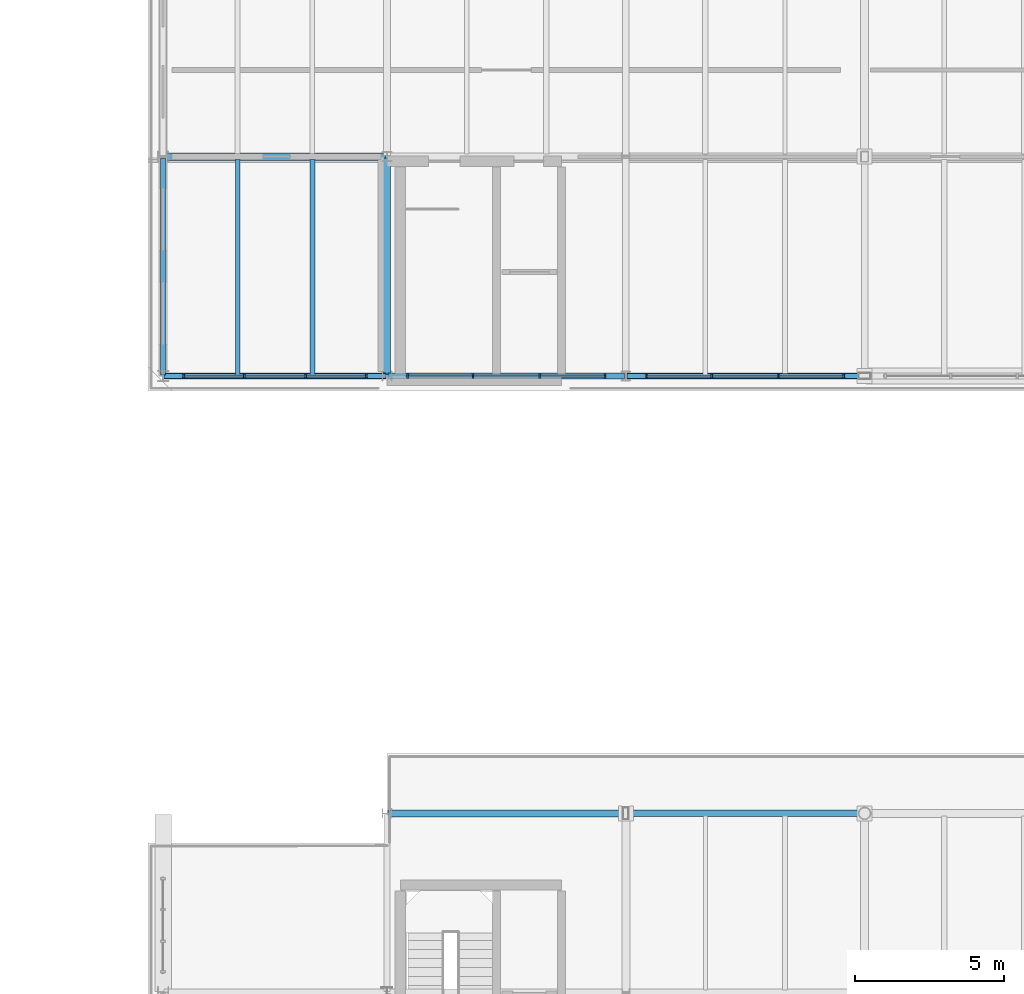
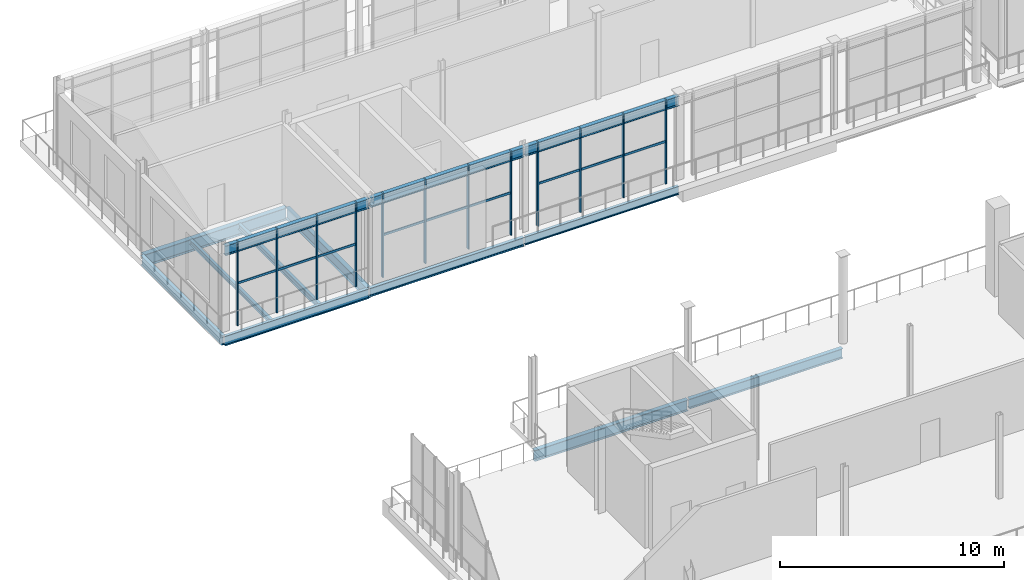
# One storey, part 42 of 93: 21 members, 13 beams, 3 elements without a shape of their own.
"""IFC4 building model written with IfcOpenShell, lengths in metres."""

from ifc_helpers import new_model, si_unit, direction, frame, origin, origin_2d, place, context, subcontext, project, spatial, rectangle, i_section, extrude, material, material_profile, profile_set, type_object, element, aggregate, save


model = new_model("IFC4")

# Units and contexts
model_context = context("Model", 3, precision=1e-05, world=origin(), true_north=direction((0.0, 1.0)))
body_context = subcontext(model_context, "Body", "Model", "MODEL_VIEW")
ifc_project = project(units=[si_unit("LENGTHUNIT", "METRE"), si_unit("AREAUNIT", "SQUARE_METRE"), si_unit("VOLUMEUNIT", "CUBIC_METRE"), si_unit("PLANEANGLEUNIT", "RADIAN"), si_unit("MASSUNIT", "GRAM", prefix="KILO")], contexts=[model_context])

# Site, building, storey
site_placement = place(None, origin())
site = spatial("IfcSite", under=ifc_project, at=site_placement, CompositionType="ELEMENT")
building_placement = place(site_placement, origin())
building = spatial("IfcBuilding", under=site, at=building_placement, Name="Brisemont Oceanarium", CompositionType="ELEMENT")
storey_placement = place(building_placement, frame((0.0, 0.0, 5.39990234375)))
storey = spatial("IfcBuildingStorey", under=building, at=storey_placement, Name="L01", CompositionType="ELEMENT", Elevation=5.39990234375)

# Beams
ifc_material_1 = material(Name="Structural Steel ASTM A992 Gr.50", Category="steel")
ifc_material_profile_1 = material_profile(ifc_material_1, i_section(OverallWidth=0.14599609375, OverallDepth=0.259033203125, WebThickness=0.006103515625, FlangeThickness=0.009033203125, FilletRadius=0.008056640625, at=origin_2d()), Name="W10X22")
ifc_profile_set_1 = profile_set([ifc_material_profile_1], Name="Structural Steel ASTM A992 Gr.50")
beam_type_1 = type_object("IfcBeamType", Name="BM-W10X22", PredefinedType="LINTEL", material=ifc_profile_set_1)
beam_1_placement = place(storey_placement, frame((19.0, 80.68994140625, -0.469482421875), z_axis=(0.0, 1.0, 0.0), x_axis=(-1.0, 0.0, 0.0)))
element("IfcBeam", 1, at=beam_1_placement, inside=storey, type_object=beam_type_1, Name="V7W L01 secondary floor beam", PredefinedType="LINTEL", context=body_context, shape_type="SweptSolid", body=[
    extrude(i_section(OverallWidth=0.14599609375, OverallDepth=0.259033203125, WebThickness=0.006103515625, FlangeThickness=0.009033203125, FilletRadius=0.008056640625, at=origin_2d()), origin(), (0.0, 0.0, 1.0), 7.219970703125),
])
ifc_material_2 = material(Name="Structural Steel ASTM A992 Gr.50", Category="steel")
ifc_material_profile_2 = material_profile(ifc_material_2, i_section(OverallWidth=0.1650390625, OverallDepth=0.31005859375, WebThickness=0.005859375, FlangeThickness=0.009765625, FilletRadius=0.008056640625, at=origin_2d()), Name="W12X26")
ifc_profile_set_2 = profile_set([ifc_material_profile_2], Name="Structural Steel ASTM A992 Gr.50")
beam_type_2 = type_object("IfcBeamType", Name="BM-W12X26", PredefinedType="JOIST", material=ifc_profile_set_2)
beam_2_placement = place(storey_placement, frame((21.5, 80.68994140625, -0.494873046875), z_axis=(0.0, 1.0, 0.0), x_axis=(-1.0, 0.0, 0.0)))
element("IfcBeam", 2, at=beam_2_placement, inside=storey, type_object=beam_type_2, Name="V7W L01 secondary floor beam", PredefinedType="JOIST", context=body_context, shape_type="SweptSolid", body=[
    extrude(i_section(OverallWidth=0.1650390625, OverallDepth=0.31005859375, WebThickness=0.005859375, FlangeThickness=0.009765625, FilletRadius=0.008056640625, at=origin_2d()), origin(), (0.0, 0.0, 1.0), 7.219970703125),
])
ifc_material_3 = material(Name="Structural Steel ASTM A992 Gr.50", Category="steel")
ifc_material_profile_3 = material_profile(ifc_material_3, i_section(OverallWidth=0.154052734375, OverallDepth=0.458984375, WebThickness=0.009033203125, FlangeThickness=0.015380859375, FilletRadius=0.010986328125, at=origin_2d()), Name="W18X46")
ifc_profile_set_3 = profile_set([ifc_material_profile_3], Name="Structural Steel ASTM A992 Gr.50")
beam_type_3 = type_object("IfcBeamType", Name="BM-W18X46", PredefinedType="SPANDREL", material=ifc_profile_set_3)
beam_3_placement = place(storey_placement, frame((32.0400390625, 80.64990234375, -0.5693359375), z_axis=(1.0, 0.0, 0.0), x_axis=(0.0, 1.0, 0.0)))
element("IfcBeam", 3, at=beam_3_placement, inside=storey, type_object=beam_type_3, Name="V7W L01 EW girder", PredefinedType="SPANDREL", context=body_context, shape_type="SweptSolid", body=[
    extrude(i_section(OverallWidth=0.154052734375, OverallDepth=0.458984375, WebThickness=0.009033203125, FlangeThickness=0.015380859375, FilletRadius=0.010986328125, at=origin_2d()), origin(), (0.0, 0.0, 1.0), 7.919921875),
])
ifc_material_4 = material(Name="Structural Steel ASTM A992 Gr.50", Category="steel")
ifc_material_profile_4 = material_profile(ifc_material_4, i_section(OverallWidth=0.19091796875, OverallDepth=0.4599609375, WebThickness=0.010009765625, FlangeThickness=0.01611328125, FilletRadius=0.010986328125, at=origin_2d()), Name="W18X55")
ifc_profile_set_4 = profile_set([ifc_material_profile_4], Name="Structural Steel ASTM A992 Gr.50")
beam_type_4 = type_object("IfcBeamType", Name="BM-W18X55", PredefinedType="SPANDREL", material=ifc_profile_set_4)
beam_4_placement = place(storey_placement, frame((24.0400390625, 80.64990234375, -0.56982421875), z_axis=(1.0, 0.0, 0.0), x_axis=(0.0, 1.0, 0.0)))
element("IfcBeam", 4, at=beam_4_placement, inside=storey, type_object=beam_type_4, Name="V7W L01 EW girder", PredefinedType="SPANDREL", context=body_context, shape_type="SweptSolid", body=[
    extrude(i_section(OverallWidth=0.19091796875, OverallDepth=0.4599609375, WebThickness=0.010009765625, FlangeThickness=0.01611328125, FilletRadius=0.010986328125, at=origin_2d()), origin(), (0.0, 0.0, 1.0), 7.919921875),
])
ifc_material_5 = material(Name="Structural Steel ASTM A992 Gr.50", Category="steel")
ifc_material_profile_5 = material_profile(ifc_material_5, i_section(OverallWidth=0.166015625, OverallDepth=0.528076171875, WebThickness=0.009765625, FlangeThickness=0.013671875, FilletRadius=0.012939453125, at=origin_2d()), Name="W21X50")
ifc_profile_set_5 = profile_set([ifc_material_profile_5], Name="Structural Steel ASTM A992 Gr.50")
beam_type_5 = type_object("IfcBeamType", Name="BM-W21X50", PredefinedType="SPANDREL", material=ifc_profile_set_5)
beam_5_placement = place(storey_placement, frame((16.5400390625, 80.64990234375, -0.60400390625), z_axis=(1.0, 0.0, 0.0), x_axis=(0.0, 1.0, 0.0)))
element("IfcBeam", 5, at=beam_5_placement, inside=storey, type_object=beam_type_5, Name="V7W L01 EW girder", PredefinedType="SPANDREL", context=body_context, shape_type="SweptSolid", body=[
    extrude(i_section(OverallWidth=0.166015625, OverallDepth=0.528076171875, WebThickness=0.009765625, FlangeThickness=0.013671875, FilletRadius=0.012939453125, at=origin_2d()), origin(), (0.0, 0.0, 1.0), 7.419921875),
])
beam_6_placement = place(storey_placement, frame((16.5, 80.68994140625, -0.60400390625), z_axis=(0.0, 1.0, 0.0), x_axis=(-1.0, 0.0, 0.0)))
element("IfcBeam", 6, at=beam_6_placement, inside=storey, type_object=beam_type_5, Name="V7W L01 NS girder", PredefinedType="SPANDREL", context=body_context, shape_type="SweptSolid", body=[
    extrude(i_section(OverallWidth=0.166015625, OverallDepth=0.528076171875, WebThickness=0.009765625, FlangeThickness=0.013671875, FilletRadius=0.012939453125, at=origin_2d()), origin(), (0.0, 0.0, 1.0), 7.27001953125),
])
ifc_material_6 = material(Name="Structural Steel ASTM A992 Gr.50", Category="steel")
ifc_material_profile_6 = material_profile(ifc_material_6, i_section(OverallWidth=0.2099609375, OverallDepth=0.532958984375, WebThickness=0.01025390625, FlangeThickness=0.015625, FilletRadius=0.012939453125, at=origin_2d()), Name="W21X62")
ifc_profile_set_6 = profile_set([ifc_material_profile_6], Name="Structural Steel ASTM A992 Gr.50")
beam_type_6 = type_object("IfcBeamType", Name="BM-W21X62", PredefinedType="BEAM", material=ifc_profile_set_6)
beam_7_placement = place(storey_placement, frame((32.0400390625, 66.0, -0.56640625), z_axis=(1.0, 0.0, 0.0), x_axis=(0.0, 1.0, 0.0)))
element("IfcBeam", 7, at=beam_7_placement, inside=storey, type_object=beam_type_6, Name="V5W L01 EW girder", PredefinedType="BEAM", context=body_context, shape_type="SweptSolid", body=[
    extrude(i_section(OverallWidth=0.2099609375, OverallDepth=0.532958984375, WebThickness=0.01025390625, FlangeThickness=0.015625, FilletRadius=0.012939453125, at=origin_2d()), origin(), (0.0, 0.0, 1.0), 7.919921875),
])
beam_8_placement = place(storey_placement, frame((16.5400390625, 80.64990234375, 4.33349609375), z_axis=(1.0, 0.0, 0.0), x_axis=(0.0, 1.0, 0.0)))
element("IfcBeam", 8, at=beam_8_placement, inside=storey, type_object=beam_type_6, Name="V7W roof eave girder", PredefinedType="BEAM", context=body_context, shape_type="SweptSolid", body=[
    extrude(i_section(OverallWidth=0.2099609375, OverallDepth=0.532958984375, WebThickness=0.01025390625, FlangeThickness=0.015625, FilletRadius=0.012939453125, at=origin_2d()), origin(), (0.0, 0.0, 1.0), 7.419921875),
])
for number, where, z_axis, x_axis, name in (
    (9, (24.0400390625, 80.64990234375, 4.33349609375), (1.0, 0.0, 0.0), (0.0, 1.0, 0.0), "V7W roof eave girder"),
    (10, (32.0400390625, 80.64990234375, 4.33349609375), (1.0, 0.0, 0.0), (0.0, 1.0, 0.0), "V7W roof eave girder"),
):
    element("IfcBeam", number, at=place(storey_placement, frame(where, z_axis=z_axis, x_axis=x_axis)), inside=storey, type_object=beam_type_6, Name=name, PredefinedType="BEAM", context=body_context, shape_type="SweptSolid", body=[
        extrude(i_section(OverallWidth=0.2099609375, OverallDepth=0.532958984375, WebThickness=0.01025390625, FlangeThickness=0.015625, FilletRadius=0.012939453125, at=origin_2d()), origin(), (0.0, 0.0, 1.0), 7.919921875),
    ])
ifc_material_7 = material(Name="Structural Steel ASTM A992 Gr.50", Category="steel")
ifc_material_profile_7 = material_profile(ifc_material_7, i_section(OverallWidth=0.22802734375, OverallDepth=0.60205078125, WebThickness=0.010498046875, FlangeThickness=0.014892578125, FilletRadius=0.012939453125, at=origin_2d()), Name="W24X68")
ifc_profile_set_7 = profile_set([ifc_material_profile_7], Name="Structural Steel ASTM A992 Gr.50")
beam_type_7 = type_object("IfcBeamType", Name="BM-W24X68", PredefinedType="BEAM", material=ifc_profile_set_7)
beam_9_placement = place(storey_placement, frame((24.0400390625, 66.0, -0.600830078125), z_axis=(1.0, 0.0, 0.0), x_axis=(0.0, 1.0, 0.0)))
element("IfcBeam", 11, at=beam_9_placement, inside=storey, type_object=beam_type_7, Name="V5W L01 EW girder", PredefinedType="BEAM", context=body_context, shape_type="SweptSolid", body=[
    extrude(i_section(OverallWidth=0.22802734375, OverallDepth=0.60205078125, WebThickness=0.010498046875, FlangeThickness=0.014892578125, FilletRadius=0.012939453125, at=origin_2d()), origin(), (0.0, 0.0, 1.0), 7.919921875),
])
ifc_material_8 = material(Name="Structural Steel ASTM A992 Gr.50", Category="steel")
ifc_material_profile_8 = material_profile(ifc_material_8, i_section(OverallWidth=0.22802734375, OverallDepth=0.60791015625, WebThickness=0.01123046875, FlangeThickness=0.017333984375, FilletRadius=0.012939453125, at=origin_2d()), Name="W24X76")
ifc_profile_set_8 = profile_set([ifc_material_profile_8], Name="Structural Steel ASTM A992 Gr.50")
beam_type_8 = type_object("IfcBeamType", Name="BM-W24X76", PredefinedType="BEAM", material=ifc_profile_set_8)
beam_10_placement = place(storey_placement, frame((24.0, 80.68994140625, -0.643798828125), z_axis=(0.0, 1.0, 0.0), x_axis=(-1.0, 0.0, 0.0)))
element("IfcBeam", 12, at=beam_10_placement, inside=storey, type_object=beam_type_8, Name="V7W L01 NS girder", PredefinedType="BEAM", context=body_context, shape_type="SweptSolid", body=[
    extrude(i_section(OverallWidth=0.22802734375, OverallDepth=0.60791015625, WebThickness=0.01123046875, FlangeThickness=0.017333984375, FilletRadius=0.012939453125, at=origin_2d()), origin(), (0.0, 0.0, 1.0), 7.27001953125),
])
ifc_material_9 = material(Name="Structural Steel ASTM A992 Gr.50", Category="steel")
ifc_material_profile_9 = material_profile(ifc_material_9, i_section(OverallWidth=0.2529296875, OverallDepth=0.677978515625, WebThickness=0.01171875, FlangeThickness=0.016357421875, FilletRadius=0.014892578125, at=origin_2d()), Name="W27X84")
ifc_profile_set_9 = profile_set([ifc_material_profile_9], Name="Structural Steel ASTM A992 Gr.50")
beam_type_9 = type_object("IfcBeamType", Name="BM-W27X84", PredefinedType="BEAM", material=ifc_profile_set_9)
beam_11_placement = place(storey_placement, frame((16.5400390625, 88.0, -0.678955078125), z_axis=(1.0, 0.0, 0.0), x_axis=(0.0, 1.0, 0.0)))
element("IfcBeam", 13, at=beam_11_placement, inside=storey, type_object=beam_type_9, Name="V7W L01 EW girder", PredefinedType="BEAM", context=body_context, shape_type="SweptSolid", body=[
    extrude(i_section(OverallWidth=0.2529296875, OverallDepth=0.677978515625, WebThickness=0.01171875, FlangeThickness=0.016357421875, FilletRadius=0.014892578125, at=origin_2d()), origin(), (0.0, 0.0, 1.0), 7.419921875),
])

# Curtain wall, members
ifc_material_10 = material(Name="Anodized Extruded Aluminum 6063-T6", Category="aluminium")
curtain_wall_type = type_object("IfcCurtainWallType", Name="CW-CLR-58X36", PredefinedType="NOTDEFINED", material=ifc_material_10)
curtain_wall_1_placement = place(storey_placement, origin())
curtain_wall_1 = element("IfcCurtainWall", 14, at=curtain_wall_1_placement, inside=storey, type_object=curtain_wall_type, Name="CW-21 curtain wall CW-V7W-S-L01-01", PredefinedType="NOTDEFINED")
ifc_material_11 = material(Name="Anodized Extruded Aluminum 6063-T6", Category="aluminium")
ifc_material_profile_10 = material_profile(ifc_material_11, rectangle(XDim=0.06005859375, YDim=0.14990234375, at=origin_2d()), Name="CWM-60X150")
ifc_profile_set_10 = profile_set([ifc_material_profile_10], Name="Anodized Extruded Aluminum 6063-T6")
member_type_1 = type_object("IfcMemberType", Name="MEM-CWM-60", PredefinedType="MULLION", material=ifc_profile_set_10)
member_1_placement = place(storey_placement, frame((17.195068359375, 80.64990234375, 0.0), z_axis=(0.0, 0.0, 1.0), x_axis=(1.0, 0.0, 0.0)))
member_1 = element("IfcMember", 15, at=member_1_placement, type_object=member_type_1, Name="CW-V7W-S-L01-01 mullion 1", PredefinedType="MULLION", context=body_context, shape_type="SweptSolid", body=[
    extrude(rectangle(XDim=0.06005859375, YDim=0.14990234375, at=origin_2d()), origin(), (0.0, 0.0, 1.0), 4.60009765625),
])
member_2_placement = place(storey_placement, frame((19.216796875, 80.64990234375, 0.0), z_axis=(0.0, 0.0, 1.0), x_axis=(1.0, 0.0, 0.0)))
member_2 = element("IfcMember", 16, at=member_2_placement, type_object=member_type_1, Name="CW-V7W-S-L01-01 mullion 2", PredefinedType="MULLION", context=body_context, shape_type="SweptSolid", body=[
    extrude(rectangle(XDim=0.06005859375, YDim=0.14990234375, at=origin_2d()), origin(), (0.0, 0.0, 1.0), 4.60009765625),
])
member_3_placement = place(storey_placement, frame((21.283203125, 80.64990234375, 0.0), z_axis=(0.0, 0.0, 1.0), x_axis=(1.0, 0.0, 0.0)))
member_3 = element("IfcMember", 17, at=member_3_placement, type_object=member_type_1, Name="CW-V7W-S-L01-01 mullion 3", PredefinedType="MULLION", context=body_context, shape_type="SweptSolid", body=[
    extrude(rectangle(XDim=0.06005859375, YDim=0.14990234375, at=origin_2d()), origin(), (0.0, 0.0, 1.0), 4.60009765625),
])
member_4_placement = place(storey_placement, frame((23.304931640625, 80.64990234375, 0.0), z_axis=(0.0, 0.0, 1.0), x_axis=(1.0, 0.0, 0.0)))
member_4 = element("IfcMember", 18, at=member_4_placement, type_object=member_type_1, Name="CW-V7W-S-L01-01 mullion 4", PredefinedType="MULLION", context=body_context, shape_type="SweptSolid", body=[
    extrude(rectangle(XDim=0.06005859375, YDim=0.14990234375, at=origin_2d()), origin(), (0.0, 0.0, 1.0), 4.60009765625),
])

curtain_wall_2_placement = place(storey_placement, origin())
curtain_wall_2 = element("IfcCurtainWall", 19, at=curtain_wall_2_placement, inside=storey, type_object=curtain_wall_type, Name="CW-21 curtain wall CW-V7W-S-L01-02", PredefinedType="NOTDEFINED")
member_5_placement = place(storey_placement, frame((24.695068359375, 80.64990234375, 0.0), z_axis=(0.0, 0.0, 1.0), x_axis=(1.0, 0.0, 0.0)))
member_5 = element("IfcMember", 20, at=member_5_placement, type_object=member_type_1, Name="CW-V7W-S-L01-02 mullion 1", PredefinedType="MULLION", context=body_context, shape_type="SweptSolid", body=[
    extrude(rectangle(XDim=0.06005859375, YDim=0.14990234375, at=origin_2d()), origin(), (0.0, 0.0, 1.0), 4.60009765625),
])
member_6_placement = place(storey_placement, frame((26.88330078125, 80.64990234375, 0.0), z_axis=(0.0, 0.0, 1.0), x_axis=(1.0, 0.0, 0.0)))
member_6 = element("IfcMember", 21, at=member_6_placement, type_object=member_type_1, Name="CW-V7W-S-L01-02 mullion 2", PredefinedType="MULLION", context=body_context, shape_type="SweptSolid", body=[
    extrude(rectangle(XDim=0.06005859375, YDim=0.14990234375, at=origin_2d()), origin(), (0.0, 0.0, 1.0), 4.60009765625),
])
member_7_placement = place(storey_placement, frame((29.11669921875, 80.64990234375, 0.0), z_axis=(0.0, 0.0, 1.0), x_axis=(1.0, 0.0, 0.0)))
member_7 = element("IfcMember", 22, at=member_7_placement, type_object=member_type_1, Name="CW-V7W-S-L01-02 mullion 3", PredefinedType="MULLION", context=body_context, shape_type="SweptSolid", body=[
    extrude(rectangle(XDim=0.06005859375, YDim=0.14990234375, at=origin_2d()), origin(), (0.0, 0.0, 1.0), 4.60009765625),
])
member_8_placement = place(storey_placement, frame((31.304931640625, 80.64990234375, 0.0), z_axis=(0.0, 0.0, 1.0), x_axis=(1.0, 0.0, 0.0)))
member_8 = element("IfcMember", 23, at=member_8_placement, type_object=member_type_1, Name="CW-V7W-S-L01-02 mullion 4", PredefinedType="MULLION", context=body_context, shape_type="SweptSolid", body=[
    extrude(rectangle(XDim=0.06005859375, YDim=0.14990234375, at=origin_2d()), origin(), (0.0, 0.0, 1.0), 4.60009765625),
])

curtain_wall_3_placement = place(storey_placement, origin())
curtain_wall_3 = element("IfcCurtainWall", 24, at=curtain_wall_3_placement, inside=storey, type_object=curtain_wall_type, Name="CW-21 curtain wall CW-V7W-S-L01-03", PredefinedType="NOTDEFINED")
member_9_placement = place(storey_placement, frame((32.695068359375, 80.64990234375, 0.0), z_axis=(0.0, 0.0, 1.0), x_axis=(1.0, 0.0, 0.0)))
member_9 = element("IfcMember", 25, at=member_9_placement, type_object=member_type_1, Name="CW-V7W-S-L01-03 mullion 1", PredefinedType="MULLION", context=body_context, shape_type="SweptSolid", body=[
    extrude(rectangle(XDim=0.06005859375, YDim=0.14990234375, at=origin_2d()), origin(), (0.0, 0.0, 1.0), 4.60009765625),
])
member_10_placement = place(storey_placement, frame((34.88330078125, 80.64990234375, 0.0), z_axis=(0.0, 0.0, 1.0), x_axis=(1.0, 0.0, 0.0)))
member_10 = element("IfcMember", 26, at=member_10_placement, type_object=member_type_1, Name="CW-V7W-S-L01-03 mullion 2", PredefinedType="MULLION", context=body_context, shape_type="SweptSolid", body=[
    extrude(rectangle(XDim=0.06005859375, YDim=0.14990234375, at=origin_2d()), origin(), (0.0, 0.0, 1.0), 4.60009765625),
])
member_11_placement = place(storey_placement, frame((37.11669921875, 80.64990234375, 0.0), z_axis=(0.0, 0.0, 1.0), x_axis=(1.0, 0.0, 0.0)))
member_11 = element("IfcMember", 27, at=member_11_placement, type_object=member_type_1, Name="CW-V7W-S-L01-03 mullion 3", PredefinedType="MULLION", context=body_context, shape_type="SweptSolid", body=[
    extrude(rectangle(XDim=0.06005859375, YDim=0.14990234375, at=origin_2d()), origin(), (0.0, 0.0, 1.0), 4.60009765625),
])
member_12_placement = place(storey_placement, frame((39.304931640625, 80.64990234375, 0.0), z_axis=(0.0, 0.0, 1.0), x_axis=(1.0, 0.0, 0.0)))
member_12 = element("IfcMember", 28, at=member_12_placement, type_object=member_type_1, Name="CW-V7W-S-L01-03 mullion 4", PredefinedType="MULLION", context=body_context, shape_type="SweptSolid", body=[
    extrude(rectangle(XDim=0.06005859375, YDim=0.14990234375, at=origin_2d()), origin(), (0.0, 0.0, 1.0), 4.60009765625),
])

# Member
ifc_material_12 = material(Name="Anodized Extruded Aluminum 6063-T6", Category="aluminium")
ifc_material_profile_11 = material_profile(ifc_material_12, rectangle(XDim=0.06005859375, YDim=0.1201171875, at=origin_2d()), Name="CWT-60X120")
ifc_profile_set_11 = profile_set([ifc_material_profile_11], Name="Anodized Extruded Aluminum 6063-T6")
member_type_2 = type_object("IfcMemberType", Name="MEM-CWT-60", PredefinedType="USERDEFINED", material=ifc_profile_set_11)
member_13_placement = place(storey_placement, frame((17.1650390625, 80.64990234375, 2.300048828125), z_axis=(1.0, 0.0, 0.0), x_axis=(0.0, 1.0, 0.0)))
member_13 = element("IfcMember", 29, at=member_13_placement, type_object=member_type_2, Name="CW-V7W-S-L01-01 transom 1.1", ObjectType="TRANSOM", PredefinedType="USERDEFINED", context=body_context, shape_type="SweptSolid", body=[
    extrude(rectangle(XDim=0.06005859375, YDim=0.1201171875, at=origin_2d()), origin(), (0.0, 0.0, 1.0), 2.03662109375),
])

member_14_placement = place(storey_placement, frame((19.231689453125, 80.64990234375, 2.300048828125), z_axis=(1.0, 0.0, 0.0), x_axis=(0.0, 1.0, 0.0)))
member_14 = element("IfcMember", 30, at=member_14_placement, type_object=member_type_2, Name="CW-V7W-S-L01-01 transom 2.1", ObjectType="TRANSOM", PredefinedType="USERDEFINED", context=body_context, shape_type="SweptSolid", body=[
    extrude(rectangle(XDim=0.06005859375, YDim=0.1201171875, at=origin_2d()), origin(), (0.0, 0.0, 1.0), 2.03662109375),
])

member_15_placement = place(storey_placement, frame((21.29833984375, 80.64990234375, 2.300048828125), z_axis=(1.0, 0.0, 0.0), x_axis=(0.0, 1.0, 0.0)))
member_15 = element("IfcMember", 31, at=member_15_placement, type_object=member_type_2, Name="CW-V7W-S-L01-01 transom 3.1", ObjectType="TRANSOM", PredefinedType="USERDEFINED", context=body_context, shape_type="SweptSolid", body=[
    extrude(rectangle(XDim=0.06005859375, YDim=0.1201171875, at=origin_2d()), origin(), (0.0, 0.0, 1.0), 2.03662109375),
])

aggregate(curtain_wall_1, [member_1, member_2, member_3, member_4, member_13, member_14, member_15])

member_16_placement = place(storey_placement, frame((24.6650390625, 80.64990234375, 2.300048828125), z_axis=(1.0, 0.0, 0.0), x_axis=(0.0, 1.0, 0.0)))
member_16 = element("IfcMember", 32, at=member_16_placement, type_object=member_type_2, Name="CW-V7W-S-L01-02 transom 1.1", ObjectType="TRANSOM", PredefinedType="USERDEFINED", context=body_context, shape_type="SweptSolid", body=[
    extrude(rectangle(XDim=0.06005859375, YDim=0.1201171875, at=origin_2d()), origin(), (0.0, 0.0, 1.0), 2.203369140625),
])

member_17_placement = place(storey_placement, frame((26.898193359375, 80.64990234375, 2.300048828125), z_axis=(1.0, 0.0, 0.0), x_axis=(0.0, 1.0, 0.0)))
member_17 = element("IfcMember", 33, at=member_17_placement, type_object=member_type_2, Name="CW-V7W-S-L01-02 transom 2.1", ObjectType="TRANSOM", PredefinedType="USERDEFINED", context=body_context, shape_type="SweptSolid", body=[
    extrude(rectangle(XDim=0.06005859375, YDim=0.1201171875, at=origin_2d()), origin(), (0.0, 0.0, 1.0), 2.20361328125),
])

member_18_placement = place(storey_placement, frame((29.131591796875, 80.64990234375, 2.300048828125), z_axis=(1.0, 0.0, 0.0), x_axis=(0.0, 1.0, 0.0)))
member_18 = element("IfcMember", 34, at=member_18_placement, type_object=member_type_2, Name="CW-V7W-S-L01-02 transom 3.1", ObjectType="TRANSOM", PredefinedType="USERDEFINED", context=body_context, shape_type="SweptSolid", body=[
    extrude(rectangle(XDim=0.06005859375, YDim=0.1201171875, at=origin_2d()), origin(), (0.0, 0.0, 1.0), 2.203369140625),
])

aggregate(curtain_wall_2, [member_5, member_6, member_7, member_8, member_16, member_17, member_18])

member_19_placement = place(storey_placement, frame((32.6650390625, 80.64990234375, 2.300048828125), z_axis=(1.0, 0.0, 0.0), x_axis=(0.0, 1.0, 0.0)))
member_19 = element("IfcMember", 35, at=member_19_placement, type_object=member_type_2, Name="CW-V7W-S-L01-03 transom 1.1", ObjectType="TRANSOM", PredefinedType="USERDEFINED", context=body_context, shape_type="SweptSolid", body=[
    extrude(rectangle(XDim=0.06005859375, YDim=0.1201171875, at=origin_2d()), origin(), (0.0, 0.0, 1.0), 2.203369140625),
])

member_20_placement = place(storey_placement, frame((34.898193359375, 80.64990234375, 2.300048828125), z_axis=(1.0, 0.0, 0.0), x_axis=(0.0, 1.0, 0.0)))
member_20 = element("IfcMember", 36, at=member_20_placement, type_object=member_type_2, Name="CW-V7W-S-L01-03 transom 2.1", ObjectType="TRANSOM", PredefinedType="USERDEFINED", context=body_context, shape_type="SweptSolid", body=[
    extrude(rectangle(XDim=0.06005859375, YDim=0.1201171875, at=origin_2d()), origin(), (0.0, 0.0, 1.0), 2.20361328125),
])

member_21_placement = place(storey_placement, frame((37.131591796875, 80.64990234375, 2.300048828125), z_axis=(1.0, 0.0, 0.0), x_axis=(0.0, 1.0, 0.0)))
member_21 = element("IfcMember", 37, at=member_21_placement, type_object=member_type_2, Name="CW-V7W-S-L01-03 transom 3.1", ObjectType="TRANSOM", PredefinedType="USERDEFINED", context=body_context, shape_type="SweptSolid", body=[
    extrude(rectangle(XDim=0.06005859375, YDim=0.1201171875, at=origin_2d()), origin(), (0.0, 0.0, 1.0), 2.203369140625),
])

aggregate(curtain_wall_3, [member_9, member_10, member_11, member_12, member_19, member_20, member_21])

save(model, "model.ifc")
